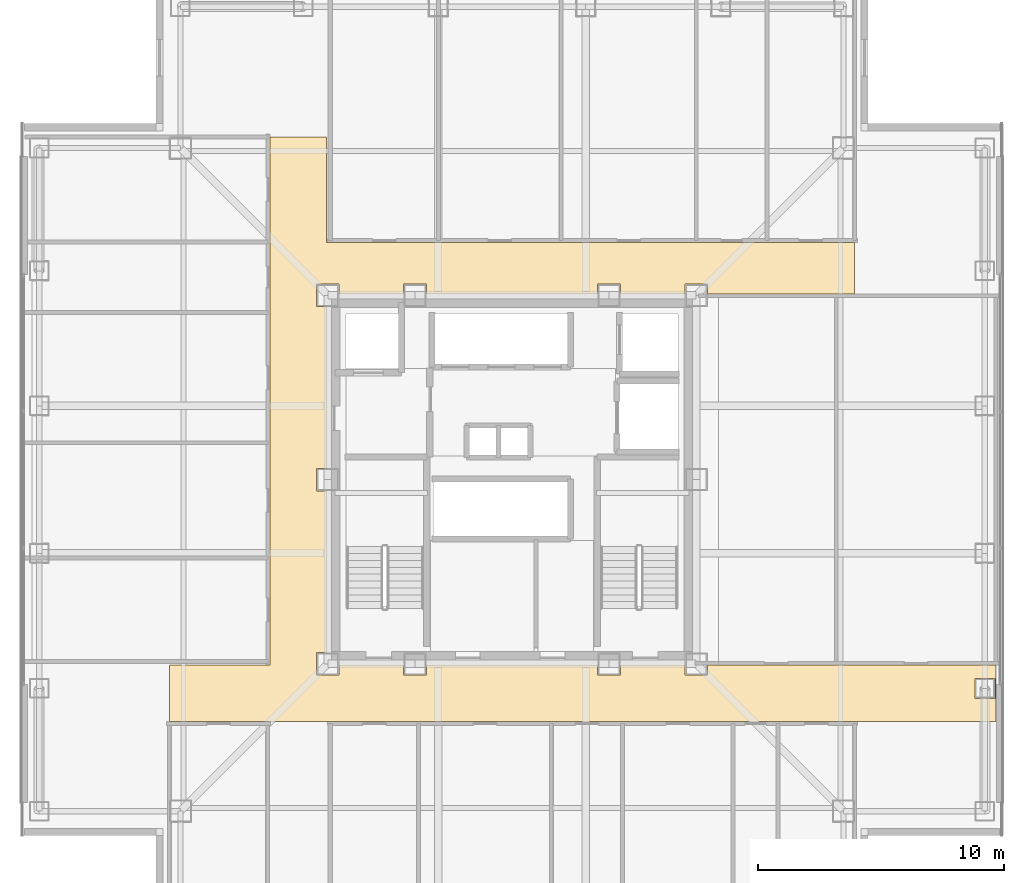
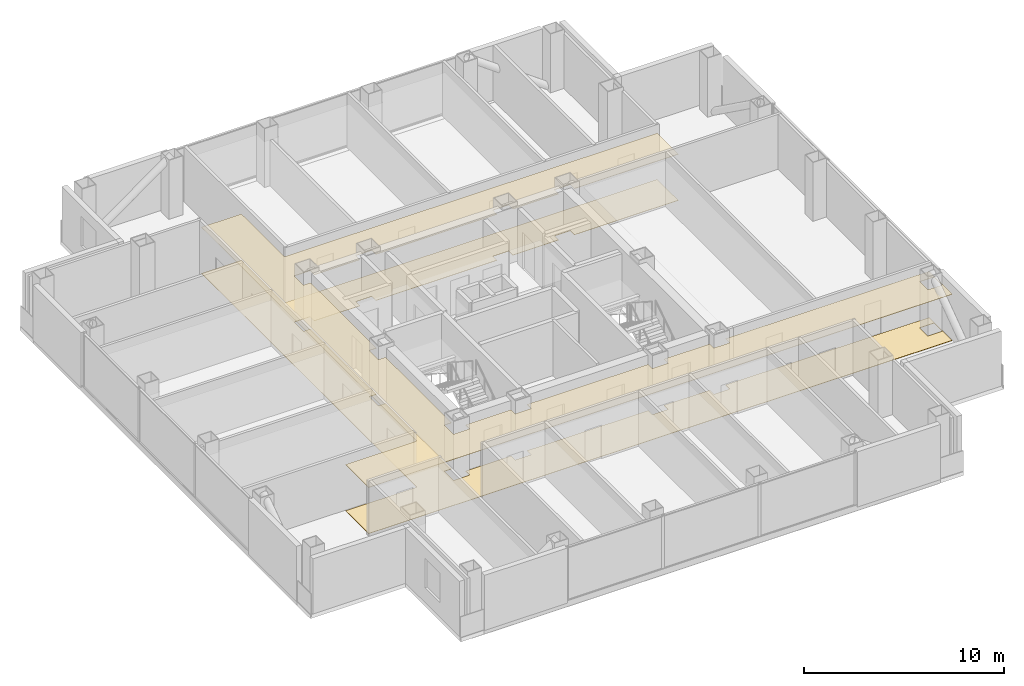
# One storey, part 15 of 17: 2 coverings.
"""IFC4 building model written with IfcOpenShell, lengths in metres."""

from ifc_helpers import new_model, si_unit, direction, frame, origin, place, context, subcontext, project, spatial, polyline, outline, extrude, material, layer, layer_set, type_object, element, save


model = new_model("IFC4")

# Units and contexts
model_context = context("Model", 3, precision=1e-05, world=origin(), true_north=direction((0.0, 1.0)))
body_context = subcontext(model_context, "Body", "Model", "MODEL_VIEW")
ifc_project = project(units=[si_unit("LENGTHUNIT", "METRE"), si_unit("AREAUNIT", "SQUARE_METRE"), si_unit("VOLUMEUNIT", "CUBIC_METRE"), si_unit("PLANEANGLEUNIT", "RADIAN"), si_unit("MASSUNIT", "GRAM", prefix="KILO")], contexts=[model_context])

# Site, building, storey
site_placement = place(None, origin())
site = spatial("IfcSite", under=ifc_project, at=site_placement, CompositionType="ELEMENT")
building_placement = place(site_placement, origin())
building = spatial("IfcBuilding", under=site, at=building_placement, Name="Trevonay Congress Spire", CompositionType="ELEMENT")
storey_placement = place(building_placement, frame((0.0, 0.0, 169.800048828125)))
storey = spatial("IfcBuildingStorey", under=building, at=storey_placement, Name="L43", CompositionType="ELEMENT", Elevation=169.800048828125)

# Coverings
ifc_material_1 = material(Name="Acoustic Mineral Fibre Board", Category="gypsum")
ifc_layer_1 = layer(ifc_material_1, 0.02490234375, Name="Acoustic Mineral Fibre Board")
ifc_layer_set_1 = layer_set([ifc_layer_1], Name="Acoustic Mineral Fibre Board")
covering_type_1 = type_object("IfcCoveringType", Name="COV-CEIL-ACOUSTIC", PredefinedType="CEILING", material=ifc_layer_set_1)
covering_1_placement = place(storey_placement, frame((0.0, 0.0, 2.81005859375)))
element("IfcCovering", 1, at=covering_1_placement, inside=storey, type_object=covering_type_1, Name="L43 Cruciform Boulevard Corridor acoustic suspended ceiling", PredefinedType="CEILING", context=body_context, shape_type="SweptSolid", body=[
    extrude(outline(polyline([(19.699951171875, -7.550048828125), (19.699951171875, -9.85009765625), (-13.949951171875, -9.85009765625), (-13.949951171875, -7.550048828125), (-9.85009765625, -7.550048828125), (-9.85009765625, 13.949951171875), (-7.550048828125, 13.949951171875), (-7.550048828125, 9.64990234375), (13.949951171875, 9.64990234375), (13.949951171875, 7.550048828125), (7.9599609375, 7.550048828125), (7.9599609375, 7.9599609375), (7.0400390625, 7.9599609375), (7.0400390625, 7.550048828125), (4.409912109375, 7.550048828125), (4.409912109375, 7.9599609375), (3.489990234375, 7.9599609375), (3.489990234375, 7.550048828125), (-3.489990234375, 7.550048828125), (-3.489990234375, 7.9599609375), (-4.409912109375, 7.9599609375), (-4.409912109375, 7.550048828125), (-7.0400390625, 7.550048828125), (-7.0400390625, 7.9599609375), (-7.9599609375, 7.9599609375), (-7.9599609375, 7.0400390625), (-7.550048828125, 7.0400390625), (-7.550048828125, 0.4599609375), (-7.9599609375, 0.4599609375), (-7.9599609375, -0.4599609375), (-7.550048828125, -0.4599609375), (-7.550048828125, -7.0400390625), (-7.9599609375, -7.0400390625), (-7.9599609375, -7.9599609375), (-7.0400390625, -7.9599609375), (-7.0400390625, -7.550048828125), (-4.409912109375, -7.550048828125), (-4.409912109375, -7.9599609375), (-3.489990234375, -7.9599609375), (-3.489990234375, -7.550048828125), (3.489990234375, -7.550048828125), (3.489990234375, -7.9599609375), (4.409912109375, -7.9599609375), (4.409912109375, -7.550048828125), (7.0400390625, -7.550048828125), (7.0400390625, -7.9599609375), (7.9599609375, -7.9599609375), (7.9599609375, -7.550048828125), (19.699951171875, -7.550048828125)]), holes=[polyline([(19.659912109375, -8.090087890625), (18.840087890625, -8.090087890625), (18.840087890625, -8.909912109375), (19.659912109375, -8.909912109375), (19.659912109375, -8.090087890625)])]), origin(), (0.0, 0.0, 1.0), 0.02490234375),
])
ifc_material_2 = material(Name="Polished Granite Floor Tile", Category="masonry")
ifc_layer_2 = layer(ifc_material_2, 0.02001953125, Name="Polished Granite Floor Tile")
ifc_layer_set_2 = layer_set([ifc_layer_2], Name="Polished Granite Floor Tile")
covering_type_2 = type_object("IfcCoveringType", Name="COV-FLOOR-STONE", PredefinedType="FLOORING", material=ifc_layer_set_2)
covering_2_placement = place(storey_placement, origin())
element("IfcCovering", 2, at=covering_2_placement, inside=storey, type_object=covering_type_2, Name="L43 Cruciform Boulevard Corridor floor finish", PredefinedType="FLOORING", context=body_context, shape_type="SweptSolid", body=[
    extrude(outline(polyline([(19.699951171875, -7.550048828125), (19.699951171875, -9.85009765625), (-13.949951171875, -9.85009765625), (-13.949951171875, -7.550048828125), (-9.85009765625, -7.550048828125), (-9.85009765625, 13.949951171875), (-7.550048828125, 13.949951171875), (-7.550048828125, 9.64990234375), (13.949951171875, 9.64990234375), (13.949951171875, 7.550048828125), (7.9599609375, 7.550048828125), (7.9599609375, 7.9599609375), (7.0400390625, 7.9599609375), (7.0400390625, 7.550048828125), (4.409912109375, 7.550048828125), (4.409912109375, 7.9599609375), (3.489990234375, 7.9599609375), (3.489990234375, 7.550048828125), (-3.489990234375, 7.550048828125), (-3.489990234375, 7.9599609375), (-4.409912109375, 7.9599609375), (-4.409912109375, 7.550048828125), (-7.0400390625, 7.550048828125), (-7.0400390625, 7.9599609375), (-7.9599609375, 7.9599609375), (-7.9599609375, 7.0400390625), (-7.550048828125, 7.0400390625), (-7.550048828125, 0.4599609375), (-7.9599609375, 0.4599609375), (-7.9599609375, -0.4599609375), (-7.550048828125, -0.4599609375), (-7.550048828125, -7.0400390625), (-7.9599609375, -7.0400390625), (-7.9599609375, -7.9599609375), (-7.0400390625, -7.9599609375), (-7.0400390625, -7.550048828125), (-4.409912109375, -7.550048828125), (-4.409912109375, -7.9599609375), (-3.489990234375, -7.9599609375), (-3.489990234375, -7.550048828125), (3.489990234375, -7.550048828125), (3.489990234375, -7.9599609375), (4.409912109375, -7.9599609375), (4.409912109375, -7.550048828125), (7.0400390625, -7.550048828125), (7.0400390625, -7.9599609375), (7.9599609375, -7.9599609375), (7.9599609375, -7.550048828125), (19.699951171875, -7.550048828125)]), holes=[polyline([(19.659912109375, -8.090087890625), (18.840087890625, -8.090087890625), (18.840087890625, -8.909912109375), (19.659912109375, -8.909912109375), (19.659912109375, -8.090087890625)])]), origin(), (0.0, 0.0, 1.0), 0.02001953125),
])

save(model, "model.ifc")
